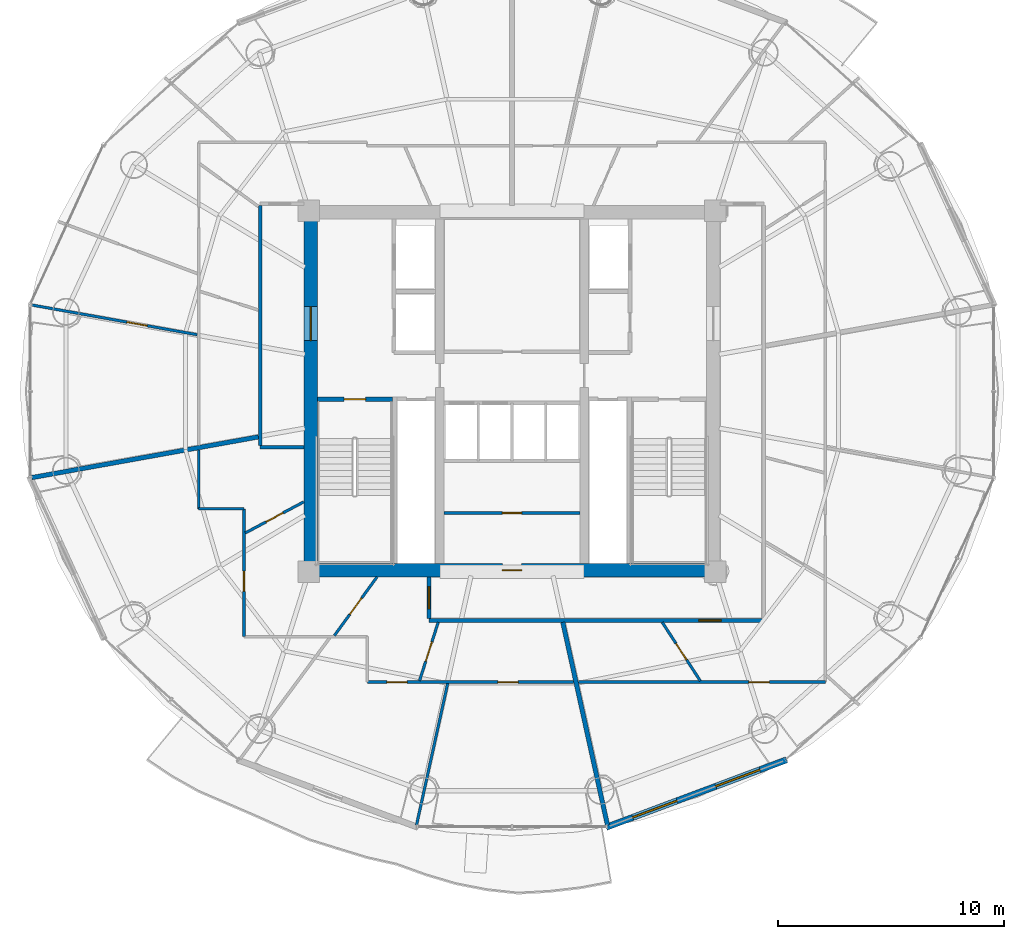
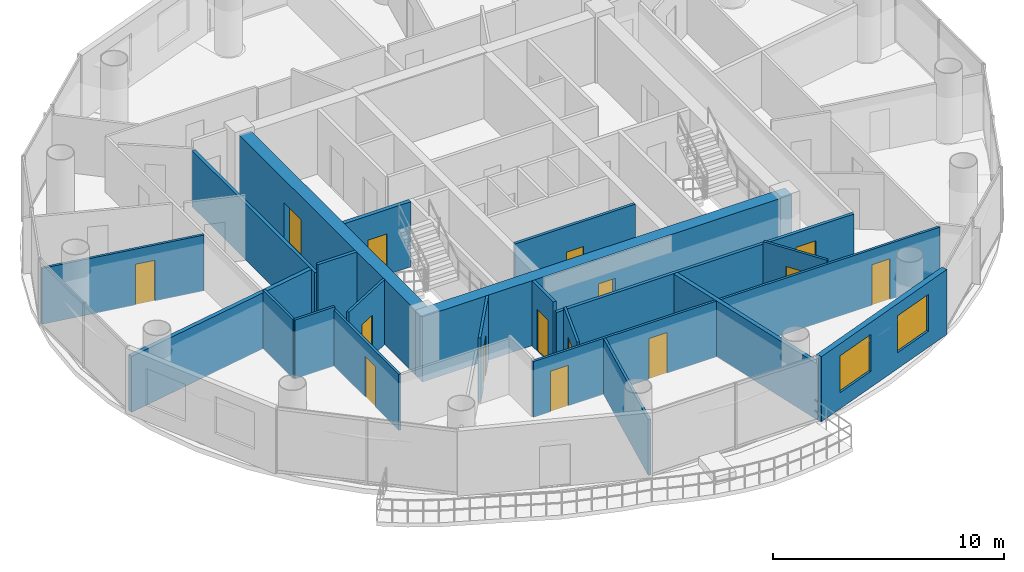
# One storey, part 20 of 27: 22 walls, 15 doors, 2 windows, 17 openings.
"""IFC4 building model written with IfcOpenShell, lengths in metres."""

from ifc_helpers import new_model, si_unit, direction, frame, frame_2d, origin, place, context, subcontext, project, spatial, rectangle, extrude, source, transform, mapped, material, layer, layer_set, type_object, element, fill, save


model = new_model("IFC4")

# Units and contexts
model_context = context("Model", 3, precision=1e-05, world=origin(), true_north=direction((-0.2419218956, 0.970295726276)))
body_context = subcontext(model_context, "Body", "Model", "MODEL_VIEW")
ifc_project = project(units=[si_unit("LENGTHUNIT", "METRE"), si_unit("AREAUNIT", "SQUARE_METRE"), si_unit("VOLUMEUNIT", "CUBIC_METRE"), si_unit("PLANEANGLEUNIT", "RADIAN"), si_unit("MASSUNIT", "GRAM", prefix="KILO")], contexts=[model_context])

# Site, building, storey
site_placement = place(None, origin())
site = spatial("IfcSite", under=ifc_project, at=site_placement, CompositionType="ELEMENT")
building_placement = place(site_placement, origin())
building = spatial("IfcBuilding", under=site, at=building_placement, Name="Cobrevalo Terracotta Tower", CompositionType="ELEMENT")
storey_placement = place(building_placement, frame((0.0, 0.0, 198.60009765625)))
storey = spatial("IfcBuildingStorey", under=building, at=storey_placement, Name="L52", CompositionType="ELEMENT", Elevation=198.60009765625)

# Wall, opening, door
ifc_material_1 = material(Name="Concrete C55", Category="concrete")
ifc_layer_1 = layer(ifc_material_1, 0.60009765625)
ifc_layer_set_1 = layer_set([ifc_layer_1], Name="Concrete C55")
wall_type_1 = type_object("IfcWallType", Name="Core shear wall 600 mm Concrete C55", PredefinedType="SHEAR", material=ifc_layer_set_1)
wall_1_placement = place(storey_placement, frame((28.77490234375, 18.875, 0.0), z_axis=(0.0, 0.0, 1.0), x_axis=(1.0, 0.0, 0.0)))
wall_1 = element("IfcWall", 1, at=wall_1_placement, inside=storey, type_object=wall_type_1, Name="L52 south core shear wall", PredefinedType="SHEAR", context=body_context, shape_type="SweptSolid", body=[
    extrude(rectangle(XDim=18.4501953125, YDim=0.60009765625, at=frame_2d((9.22509765625, 0.0))), origin(), (0.0, 0.0, 1.0), 3.434814453125),
])
opening_1_placement = place(wall_1_placement, frame((8.800048828125, 0.0, 0.0)))
opening_1 = element("IfcOpeningElement", 2, at=opening_1_placement, cuts=wall_1, Name="Opening ID-22", PredefinedType="OPENING", context=body_context, shape_type="SweptSolid", body=[
    extrude(rectangle(XDim=0.85009765625, YDim=2.10009765625, at=frame_2d((0.425048828125, 1.050048828125))), frame((0.0, 0.31005859375, 0.0), z_axis=(0.0, -1.0, 0.0), x_axis=(1.0, 0.0, 0.0)), (0.0, 0.0, 1.0), 0.6201171875),
])
ifc_material_2 = material(Name="Powder-coated steel", Category="steel")
door_type_1 = type_object("IfcDoorType", Name="Riser shaft & meter closet fire access door 850x2100 EI 60", OperationType="NOTDEFINED", PredefinedType="DOOR", material=ifc_material_2)
shared_shape_1 = source(origin(), body_context, "Body", "SweptSolid", [
    extrude(rectangle(XDim=0.85009765625, YDim=2.10009765625, at=frame_2d((0.425048828125, 1.050048828125))), frame((0.0, 0.02490234375, 0.0), z_axis=(0.0, -1.0, 0.0), x_axis=(1.0, 0.0, 0.0)), (0.0, 0.0, 1.0), 0.050048828125),
])
door_1_placement = place(opening_1_placement, origin())
door_1 = element("IfcDoor", 3, at=door_1_placement, inside=storey, type_object=door_type_1, Name="L52 core south plant door Smoke Extract Fan Plant", OperationType="SINGLE_SWING_RIGHT", OverallHeight=2.10009765625, OverallWidth=0.85009765625, PredefinedType="DOOR", context=body_context, shape_type="MappedRepresentation", body=[
    mapped(shared_shape_1, transform((0.0, 0.0, 0.0), scale=1.0)),
])
fill(opening_1, door_1)

wall_2_placement = place(storey_placement, frame((29.074951171875, 19.175048828125, 0.0), z_axis=(0.0, 0.0, 1.0), x_axis=(0.0, 1.0, 0.0)))
wall_2 = element("IfcWall", 4, at=wall_2_placement, inside=storey, type_object=wall_type_1, Name="L52 west core shear wall", PredefinedType="SHEAR", context=body_context, shape_type="SweptSolid", body=[
    extrude(rectangle(XDim=15.25, YDim=0.60009765625, at=frame_2d((7.625, 0.0))), origin(), (0.0, 0.0, 1.0), 3.434814453125),
])
opening_2_placement = place(wall_2_placement, frame((9.875, 0.0, 0.0)))
opening_2 = element("IfcOpeningElement", 5, at=opening_2_placement, cuts=wall_2, Name="Opening ID-14", PredefinedType="OPENING", context=body_context, shape_type="SweptSolid", body=[
    extrude(rectangle(XDim=1.5, YDim=2.199951171875, at=frame_2d((0.75, 1.10009765625))), frame((0.0, 0.31005859375, 0.0), z_axis=(0.0, -1.0, 0.0), x_axis=(1.0, 0.0, 0.0)), (0.0, 0.0, 1.0), 0.6201171875),
])
ifc_material_3 = material(Name="Galvanized fire-rated steel", Category="steel")
door_type_2 = type_object("IfcDoorType", Name="Core cross-lobby double fire door 1500x2200 EI 90", OperationType="NOTDEFINED", PredefinedType="DOOR", material=ifc_material_3)
shared_shape_2 = source(origin(), body_context, "Body", "SweptSolid", [
    extrude(rectangle(XDim=1.5, YDim=2.199951171875, at=frame_2d((0.75, 1.10009765625))), frame((0.0, 0.02490234375, 0.0), z_axis=(0.0, -1.0, 0.0), x_axis=(1.0, 0.0, 0.0)), (0.0, 0.0, 1.0), 0.050048828125),
])
door_2_placement = place(opening_2_placement, origin())
door_2 = element("IfcDoor", 6, at=door_2_placement, inside=storey, type_object=door_type_2, Name="L52 west firefighting lobby entrance door", OperationType="DOUBLE_DOOR_SINGLE_SWING", OverallHeight=2.199951171875, OverallWidth=1.5, PredefinedType="DOOR", context=body_context, shape_type="MappedRepresentation", body=[
    mapped(shared_shape_2, transform((0.0, 0.0, 0.0), scale=1.0)),
])
fill(opening_2, door_2)

# Walls
ifc_material_4 = material(Name="Gypsum board on steel stud", Category="steel")
ifc_layer_2 = layer(ifc_material_4, 0.159912109375)
ifc_layer_set_2 = layer_set([ifc_layer_2], Name="Gypsum board on steel stud")
wall_type_2 = type_object("IfcWallType", Name="Fire-rated corridor acoustic partition wall 160 mm", PredefinedType="PARTITIONING", material=ifc_layer_set_2)
wall_3_placement = place(storey_placement, frame((26.844970703125, 24.39990234375, 0.0), z_axis=(0.0, 0.0, 1.0), x_axis=(0.0, 1.0, 0.0)))
element("IfcWall", 7, at=wall_3_placement, inside=storey, type_object=wall_type_2, Name="L52 interior partition IW-L52-COR-W", PredefinedType="PARTITIONING", context=body_context, shape_type="SweptSolid", body=[
    extrude(rectangle(XDim=10.625, YDim=0.159912109375, at=frame_2d((5.3125, 0.0))), origin(), (0.0, 0.0, 1.0), 2.950927734375),
])
wall_4_placement = place(storey_placement, frame((26.844970703125, 24.320068359375, 0.0), z_axis=(0.0, 0.0, 1.0), x_axis=(1.0, 0.0, 0.0)))
element("IfcWall", 8, at=wall_4_placement, inside=storey, type_object=wall_type_2, Name="L52 interior partition IW-L52-COR-WS-CAP", PredefinedType="PARTITIONING", context=body_context, shape_type="SweptSolid", body=[
    extrude(rectangle(XDim=1.929931640625, YDim=0.159912109375, at=frame_2d((0.96484375, 0.0))), origin(), (0.0, 0.0, 1.0), 3.434814453125),
])

# Wall, opening, door
wall_5_placement = place(storey_placement, frame((34.320068359375, 16.64501953125, 0.0), z_axis=(0.0, 0.0, 1.0), x_axis=(1.0, 0.0, 0.0)))
wall_5 = element("IfcWall", 9, at=wall_5_placement, inside=storey, type_object=wall_type_2, Name="L52 interior partition IW-L52-COR-S", PredefinedType="PARTITIONING", context=body_context, shape_type="SweptSolid", body=[
    extrude(rectangle(XDim=14.8349609375, YDim=0.159912109375, at=frame_2d((7.41748046875, 0.0))), origin(), (0.0, 0.0, 1.0), 2.950927734375),
])
opening_3_placement = place(wall_5_placement, frame((11.96142578125, 0.0, 0.0)))
opening_3 = element("IfcOpeningElement", 10, at=opening_3_placement, cuts=wall_5, Name="Opening ID-05", PredefinedType="OPENING", context=body_context, shape_type="SweptSolid", body=[
    extrude(rectangle(XDim=0.97998046875, YDim=2.199951171875, at=frame_2d((0.489990234375, 1.10009765625))), frame((0.0, 0.08984375, 0.0), z_axis=(0.0, -1.0, 0.0), x_axis=(1.0, 0.0, 0.0)), (0.0, 0.0, 1.0), 0.179931640625),
])
ifc_material_5 = material(Name="Solid hardwood timber", Category="wood")
door_type_3 = type_object("IfcDoorType", Name="Residence entrance fire-rated acoustic timber door 980x2200 EI 60", OperationType="NOTDEFINED", PredefinedType="DOOR", material=ifc_material_5)
shared_shape_3 = source(origin(), body_context, "Body", "SweptSolid", [
    extrude(rectangle(XDim=0.97998046875, YDim=2.199951171875, at=frame_2d((0.489990234375, 1.10009765625))), frame((0.0, 0.02490234375, 0.0), z_axis=(0.0, -1.0, 0.0), x_axis=(1.0, 0.0, 0.0)), (0.0, 0.0, 1.0), 0.050048828125),
])
door_3_placement = place(opening_3_placement, origin())
door_3 = element("IfcDoor", 11, at=door_3_placement, inside=storey, type_object=door_type_3, Name="Flat L52D fire-rated apartment entrance door", OperationType="SINGLE_SWING_LEFT", OverallHeight=2.199951171875, OverallWidth=0.97998046875, PredefinedType="DOOR", context=body_context, shape_type="MappedRepresentation", body=[
    mapped(shared_shape_3, transform((0.0, 0.0, 0.0), scale=1.0)),
])
fill(opening_3, door_3)

wall_6_placement = place(storey_placement, frame((34.320068359375, 16.72509765625, 0.0), z_axis=(0.0, 0.0, 1.0), x_axis=(0.0, 1.0, 0.0)))
wall_6 = element("IfcWall", 12, at=wall_6_placement, inside=storey, type_object=wall_type_2, Name="L52 interior partition IW-L52-COR-SW-CAP", PredefinedType="PARTITIONING", context=body_context, shape_type="SweptSolid", body=[
    extrude(rectangle(XDim=1.849853515625, YDim=0.159912109375, at=frame_2d((0.9248046875, 0.0))), origin(), (0.0, 0.0, 1.0), 3.434814453125),
])
opening_4_placement = place(wall_6_placement, frame((0.43505859375, 0.0, 0.0)))
opening_4 = element("IfcOpeningElement", 13, at=opening_4_placement, cuts=wall_6, Name="Opening ID-05", PredefinedType="OPENING", context=body_context, shape_type="SweptSolid", body=[
    extrude(rectangle(XDim=0.97998046875, YDim=2.199951171875, at=frame_2d((0.489990234375, 1.10009765625))), frame((0.0, 0.08984375, 0.0), z_axis=(0.0, -1.0, 0.0), x_axis=(1.0, 0.0, 0.0)), (0.0, 0.0, 1.0), 0.179931640625),
])
door_4_placement = place(opening_4_placement, origin())
door_4 = element("IfcDoor", 14, at=door_4_placement, inside=storey, type_object=door_type_3, Name="Flat L52C fire-rated apartment entrance door", OperationType="SINGLE_SWING_RIGHT", OverallHeight=2.199951171875, OverallWidth=0.97998046875, PredefinedType="DOOR", context=body_context, shape_type="MappedRepresentation", body=[
    mapped(shared_shape_3, transform((0.0, 0.0, 0.0), scale=1.0)),
])
fill(opening_4, door_4)

# Walls
ifc_material_6 = material(Name="Autoclaved aerated concrete block", Category="concrete")
ifc_layer_3 = layer(ifc_material_6, 0.199951171875)
ifc_layer_set_3 = layer_set([ifc_layer_3], Name="Autoclaved aerated concrete block")
wall_type_3 = type_object("IfcWallType", Name="Fire-rated stair, shaft & demising masonry wall 200 mm", PredefinedType="PARTITIONING", material=ifc_layer_set_3)
wall_7_placement = place(storey_placement, frame((26.764892578125, 24.780517578125, 0.0), z_axis=(0.0, 0.0, 1.0), x_axis=(-0.984226684914, -0.176911934879, 0.0)))
element("IfcWall", 15, at=wall_7_placement, inside=storey, type_object=wall_type_3, Name="L52 interior partition IW-L52-DEM-3", PredefinedType="PARTITIONING", context=body_context, shape_type="SweptSolid", body=[
    extrude(rectangle(XDim=10.202392578125, YDim=0.199951171875, at=frame_2d((5.10107421875, 0.0))), origin(), (0.0, 0.0, 1.0), 2.950927734375),
])
wall_8_placement = place(storey_placement, frame((40.2529296875, 16.56494140625, 0.0), z_axis=(0.0, 0.0, 1.0), x_axis=(0.214957946814, -0.976623305631, 0.0)))
element("IfcWall", 16, at=wall_8_placement, inside=storey, type_object=wall_type_3, Name="L52 interior partition IW-L52-DEM-4", PredefinedType="PARTITIONING", context=body_context, shape_type="SweptSolid", body=[
    extrude(rectangle(XDim=9.201904296875, YDim=0.199951171875, at=frame_2d((4.60107421875, 0.0))), origin(), (0.0, 0.0, 1.0), 2.950927734375),
])

# Wall, openings, windows
ifc_layer_4 = layer(ifc_material_6, 0.280029296875)
ifc_layer_set_4 = layer_set([ifc_layer_4], Name="Autoclaved aerated concrete block")
wall_type_4 = type_object("IfcWallType", Name="Insulated tower spandrel & pier wall 280 mm with terracotta rainscreen", PredefinedType="SOLIDWALL", material=ifc_layer_set_4)
wall_9_placement = place(storey_placement, frame((42.172119140625, 7.47998046875, 0.0), z_axis=(0.0, 0.0, 1.0), x_axis=(0.936556918375, 0.350515532672, 0.0)))
wall_9 = element("IfcWall", 17, at=wall_9_placement, inside=storey, type_object=wall_type_4, Name="L52 terracotta rainscreen pier wall S13", PredefinedType="SOLIDWALL", context=body_context, shape_type="SweptSolid", body=[
    extrude(rectangle(XDim=8.539306640625, YDim=0.280029296875, at=frame_2d((4.26953125, 0.0))), origin(), (0.0, 0.0, 1.0), 3.434814453125),
])
opening_5_placement = place(wall_9_placement, frame((1.255615234375, 0.0, 0.85009765625)))
opening_5 = element("IfcOpeningElement", 18, at=opening_5_placement, cuts=wall_9, Name="Opening WN-10", PredefinedType="OPENING", context=body_context, shape_type="SweptSolid", body=[
    extrude(rectangle(XDim=2.10009765625, YDim=1.949951171875, at=frame_2d((1.050048828125, 0.97509765625))), frame((0.0, 0.14990234375, 0.0), z_axis=(0.0, -1.0, 0.0), x_axis=(1.0, 0.0, 0.0)), (0.0, 0.0, 1.0), 0.300048828125),
])
opening_6_placement = place(wall_9_placement, frame((5.18359375, 0.0, 0.85009765625)))
opening_6 = element("IfcOpeningElement", 19, at=opening_6_placement, cuts=wall_9, Name="Opening WN-10", PredefinedType="OPENING", context=body_context, shape_type="SweptSolid", body=[
    extrude(rectangle(XDim=2.10009765625, YDim=1.949951171875, at=frame_2d((1.050048828125, 0.97509765625))), frame((0.0, 0.14990234375, 0.0), z_axis=(0.0, -1.0, 0.0), x_axis=(1.0, 0.0, 0.0)), (0.0, 0.0, 1.0), 0.300048828125),
])
ifc_material_7 = material(Name="Solar-control low-E double glazing", Category="glass")
window_type = type_object("IfcWindowType", Name="Wide panoramic low-E aluminium window 2100x1950", PartitioningType="SINGLE_PANEL", PredefinedType="WINDOW", material=ifc_material_7)
shared_shape_4 = source(origin(), body_context, "Body", "SweptSolid", [
    extrude(rectangle(XDim=2.10009765625, YDim=1.949951171875, at=frame_2d((1.050048828125, 0.97509765625))), frame((0.0, 0.030029296875, 0.0), z_axis=(0.0, -1.0, 0.0), x_axis=(1.0, 0.0, 0.0)), (0.0, 0.0, 1.0), 0.06005859375),
])
window_1_placement = place(opening_5_placement, origin())
window_1 = element("IfcWindow", 20, at=window_1_placement, inside=storey, type_object=window_type, Name="L52 suite window S13A", OverallHeight=1.949951171875, OverallWidth=2.10009765625, PartitioningType="SINGLE_PANEL", PredefinedType="WINDOW", context=body_context, shape_type="MappedRepresentation", body=[
    mapped(shared_shape_4, transform((0.0, 0.0, 0.0), scale=1.0)),
])
fill(opening_5, window_1)
window_2_placement = place(opening_6_placement, origin())
window_2 = element("IfcWindow", 21, at=window_2_placement, inside=storey, type_object=window_type, Name="L52 suite window S13B", OverallHeight=1.949951171875, OverallWidth=2.10009765625, PartitioningType="SINGLE_PANEL", PredefinedType="WINDOW", context=body_context, shape_type="MappedRepresentation", body=[
    mapped(shared_shape_4, transform((0.0, 0.0, 0.0), scale=1.0)),
])
fill(opening_6, window_2)

# Wall, opening, door
ifc_layer_5 = layer(ifc_material_6, 0.139892578125)
ifc_layer_set_5 = layer_set([ifc_layer_5], Name="Autoclaved aerated concrete block")
wall_type_5 = type_object("IfcWallType", Name="Moisture-resistant wet-room & core service partition 140 mm", PredefinedType="PARTITIONING", material=ifc_layer_set_5)
wall_10_placement = place(storey_placement, frame((34.989990234375, 21.407470703125, 0.0), z_axis=(0.0, 0.0, 1.0), x_axis=(1.0, 0.0, 0.0)))
wall_10 = element("IfcWall", 22, at=wall_10_placement, inside=storey, type_object=wall_type_5, Name="L52 interior partition IW-L52-KVS-H", PredefinedType="PARTITIONING", context=body_context, shape_type="SweptSolid", body=[
    extrude(rectangle(XDim=6.02001953125, YDim=0.139892578125, at=frame_2d((3.010009765625, 0.0))), origin(), (0.0, 0.0, 1.0), 3.434814453125),
])
opening_7_placement = place(wall_10_placement, frame((2.5849609375, 0.0, 0.0)))
opening_7 = element("IfcOpeningElement", 23, at=opening_7_placement, cuts=wall_10, Name="Opening ID-22", PredefinedType="OPENING", context=body_context, shape_type="SweptSolid", body=[
    extrude(rectangle(XDim=0.85009765625, YDim=2.10009765625, at=frame_2d((0.425048828125, 1.050048828125))), frame((0.0, 0.080078125, 0.0), z_axis=(0.0, -1.0, 0.0), x_axis=(1.0, 0.0, 0.0)), (0.0, 0.0, 1.0), 0.159912109375),
])
door_5_placement = place(opening_7_placement, origin())
door_5 = element("IfcDoor", 24, at=door_5_placement, inside=storey, type_object=door_type_1, Name="L52 core manifold inner door", OperationType="SINGLE_SWING_LEFT", OverallHeight=2.10009765625, OverallWidth=0.85009765625, PredefinedType="DOOR", context=body_context, shape_type="MappedRepresentation", body=[
    mapped(shared_shape_1, transform((0.0, 0.0, 0.0), scale=1.0)),
])
fill(opening_7, door_5)

ifc_layer_6 = layer(ifc_material_4, 0.1201171875)
ifc_layer_set_6 = layer_set([ifc_layer_6], Name="Gypsum board on steel stud")
wall_type_6 = type_object("IfcWallType", Name="Residential internal acoustic stud partition 120 mm", PredefinedType="PARTITIONING", material=ifc_layer_set_6)
wall_11_placement = place(storey_placement, frame((24.053955078125, 29.306884765625, 0.0), z_axis=(0.0, 0.0, 1.0), x_axis=(-0.984227185588, 0.176909149424, 0.0)))
wall_11 = element("IfcWall", 25, at=wall_11_placement, inside=storey, type_object=wall_type_6, Name="L52 interior partition IW-L52-U2-ORAD3M1", PredefinedType="PARTITIONING", context=body_context, shape_type="SweptSolid", body=[
    extrude(rectangle(XDim=7.447998046875, YDim=0.1201171875, at=frame_2d((3.72412109375, 0.0))), origin(), (0.0, 0.0, 1.0), 2.950927734375),
])
opening_8_placement = place(wall_11_placement, frame((2.263916015625, 0.0, 0.0)))
opening_8 = element("IfcOpeningElement", 26, at=opening_8_placement, cuts=wall_11, Name="Opening ID-12", PredefinedType="OPENING", context=body_context, shape_type="SweptSolid", body=[
    extrude(rectangle(XDim=0.89990234375, YDim=2.14990234375, at=frame_2d((0.449951171875, 1.074951171875))), frame((0.0, 0.070068359375, 0.0), z_axis=(0.0, -1.0, 0.0), x_axis=(1.0, 0.0, 0.0)), (0.0, 0.0, 1.0), 0.14013671875),
])
ifc_material_8 = material(Name="Engineered timber", Category="wood")
door_type_4 = type_object("IfcDoorType", Name="Internal residence & suite timber door 900x2150", OperationType="NOTDEFINED", PredefinedType="DOOR", material=ifc_material_8)
shared_shape_5 = source(origin(), body_context, "Body", "SweptSolid", [
    extrude(rectangle(XDim=0.89990234375, YDim=2.14990234375, at=frame_2d((0.449951171875, 1.074951171875))), frame((0.0, 0.02490234375, 0.0), z_axis=(0.0, -1.0, 0.0), x_axis=(1.0, 0.0, 0.0)), (0.0, 0.0, 1.0), 0.050048828125),
])
door_6_placement = place(opening_8_placement, origin())
door_6 = element("IfcDoor", 27, at=door_6_placement, inside=storey, type_object=door_type_4, Name="Flat L52B Penthouse Family Lounge internal door", OperationType="SINGLE_SWING_LEFT", OverallHeight=2.14990234375, OverallWidth=0.89990234375, PredefinedType="DOOR", context=body_context, shape_type="MappedRepresentation", body=[
    mapped(shared_shape_5, transform((0.0, 0.0, 0.0), scale=1.0)),
])
fill(opening_8, door_6)

# Wall, openings, doors
wall_12_placement = place(storey_placement, frame((40.734130859375, 13.9150390625, 0.0), z_axis=(0.0, 0.0, 1.0), x_axis=(-1.0, 0.0, 0.0)))
wall_12 = element("IfcWall", 28, at=wall_12_placement, inside=storey, type_object=wall_type_6, Name="L52 interior partition IW-L52-U3-RING0_0", PredefinedType="PARTITIONING", context=body_context, shape_type="SweptSolid", body=[
    extrude(rectangle(XDim=9.14404296875, YDim=0.1201171875, at=frame_2d((4.572021484375, 0.0))), origin(), (0.0, 0.0, 1.0), 2.950927734375),
])
opening_9_placement = place(wall_12_placement, frame((7.38134765625, 0.0, 0.0)))
opening_9 = element("IfcOpeningElement", 29, at=opening_9_placement, cuts=wall_12, Name="Opening ID-12", PredefinedType="OPENING", context=body_context, shape_type="SweptSolid", body=[
    extrude(rectangle(XDim=0.89990234375, YDim=2.14990234375, at=frame_2d((0.449951171875, 1.074951171875))), frame((0.0, 0.070068359375, 0.0), z_axis=(0.0, -1.0, 0.0), x_axis=(1.0, 0.0, 0.0)), (0.0, 0.0, 1.0), 0.14013671875),
])
opening_10_placement = place(wall_12_placement, frame((2.4580078125, 0.0, 0.0)))
opening_10 = element("IfcOpeningElement", 30, at=opening_10_placement, cuts=wall_12, Name="Opening ID-12", PredefinedType="OPENING", context=body_context, shape_type="SweptSolid", body=[
    extrude(rectangle(XDim=0.89990234375, YDim=2.14990234375, at=frame_2d((0.449951171875, 1.074951171875))), frame((0.0, 0.070068359375, 0.0), z_axis=(0.0, -1.0, 0.0), x_axis=(1.0, 0.0, 0.0)), (0.0, 0.0, 1.0), 0.14013671875),
])
door_7_placement = place(opening_9_placement, origin())
door_7 = element("IfcDoor", 31, at=door_7_placement, inside=storey, type_object=door_type_4, Name="Flat L52C Master Bedroom internal door", OperationType="SINGLE_SWING_LEFT", OverallHeight=2.14990234375, OverallWidth=0.89990234375, PredefinedType="DOOR", context=body_context, shape_type="MappedRepresentation", body=[
    mapped(shared_shape_5, transform((0.0, 0.0, 0.0), scale=1.0)),
])
fill(opening_9, door_7)
door_8_placement = place(opening_10_placement, origin())
door_8 = element("IfcDoor", 32, at=door_8_placement, inside=storey, type_object=door_type_4, Name="Flat L52C Penthouse Family Lounge internal door", OperationType="SINGLE_SWING_RIGHT", OverallHeight=2.14990234375, OverallWidth=0.89990234375, PredefinedType="DOOR", context=body_context, shape_type="MappedRepresentation", body=[
    mapped(shared_shape_5, transform((0.0, 0.0, 0.0), scale=1.0)),
])
fill(opening_10, door_8)

# Wall, opening, door
wall_13_placement = place(storey_placement, frame((26.125, 15.925048828125, 0.0), z_axis=(0.0, 0.0, 1.0), x_axis=(0.0, 1.0, 0.0)))
wall_13 = element("IfcWall", 33, at=wall_13_placement, inside=storey, type_object=wall_type_6, Name="L52 interior partition IW-L52-U3-RING3_0", PredefinedType="PARTITIONING", context=body_context, shape_type="SweptSolid", body=[
    extrude(rectangle(XDim=5.6650390625, YDim=0.1201171875, at=frame_2d((2.83251953125, 0.0))), origin(), (0.0, 0.0, 1.0), 2.950927734375),
])
opening_11_placement = place(wall_13_placement, frame((2.01025390625, 0.0, 0.0)))
opening_11 = element("IfcOpeningElement", 34, at=opening_11_placement, cuts=wall_13, Name="Opening ID-12", PredefinedType="OPENING", context=body_context, shape_type="SweptSolid", body=[
    extrude(rectangle(XDim=0.89990234375, YDim=2.14990234375, at=frame_2d((0.449951171875, 1.074951171875))), frame((0.0, 0.070068359375, 0.0), z_axis=(0.0, -1.0, 0.0), x_axis=(1.0, 0.0, 0.0)), (0.0, 0.0, 1.0), 0.14013671875),
])
door_9_placement = place(opening_11_placement, origin())
door_9 = element("IfcDoor", 35, at=door_9_placement, inside=storey, type_object=door_type_4, Name="Flat L52C Living and Dining Room internal door", OperationType="SINGLE_SWING_LEFT", OverallHeight=2.14990234375, OverallWidth=0.89990234375, PredefinedType="DOOR", context=body_context, shape_type="MappedRepresentation", body=[
    mapped(shared_shape_5, transform((0.0, 0.0, 0.0), scale=1.0)),
])
fill(opening_11, door_9)

# Walls
wall_14_placement = place(storey_placement, frame((26.125, 21.590087890625, 0.0), z_axis=(0.0, 0.0, 1.0), x_axis=(-1.0, 0.0, 0.0)))
element("IfcWall", 36, at=wall_14_placement, inside=storey, type_object=wall_type_6, Name="L52 interior partition IW-L52-U3-RING4_0", PredefinedType="PARTITIONING", context=body_context, shape_type="SweptSolid", body=[
    extrude(rectangle(XDim=2.010009765625, YDim=0.1201171875, at=frame_2d((1.0048828125, 0.0))), origin(), (0.0, 0.0, 1.0), 3.10986328125),
])
wall_15_placement = place(storey_placement, frame((24.114990234375, 21.590087890625, 0.0), z_axis=(0.0, 0.0, 1.0), x_axis=(0.0, 1.0, 0.0)))
element("IfcWall", 37, at=wall_15_placement, inside=storey, type_object=wall_type_6, Name="L52 interior partition IW-L52-U3-RING5_0", PredefinedType="PARTITIONING", context=body_context, shape_type="SweptSolid", body=[
    extrude(rectangle(XDim=2.612060546875, YDim=0.1201171875, at=frame_2d((1.30615234375, 0.0))), origin(), (0.0, 0.0, 1.0), 3.10986328125),
])
wall_16_placement = place(storey_placement, frame((35.150390625, 13.8544921875, 0.0), z_axis=(0.0, 0.0, 1.0), x_axis=(-0.214942949264, -0.976626606519, 0.0)))
element("IfcWall", 38, at=wall_16_placement, inside=storey, type_object=wall_type_6, Name="L52 interior partition IW-L52-U3-ORAD2M1", PredefinedType="PARTITIONING", context=body_context, shape_type="SweptSolid", body=[
    extrude(rectangle(XDim=6.426513671875, YDim=0.1201171875, at=frame_2d((3.21337890625, 0.0))), origin(), (0.0, 0.0, 1.0), 2.950927734375),
])

# Wall, opening, door
wall_17_placement = place(storey_placement, frame((28.77490234375, 21.901123046875, 0.0), z_axis=(0.0, 0.0, 1.0), x_axis=(-0.883156592468, -0.46907828044, 0.0)))
wall_17 = element("IfcWall", 39, at=wall_17_placement, inside=storey, type_object=wall_type_6, Name="L52 interior partition IW-L52-U3-IRAD1", PredefinedType="PARTITIONING", context=body_context, shape_type="SweptSolid", body=[
    extrude(rectangle(XDim=2.9384765625, YDim=0.1201171875, at=frame_2d((1.46923828125, 0.0))), origin(), (0.0, 0.0, 1.0), 3.434814453125),
])
opening_12_placement = place(wall_17_placement, frame((1.039306640625, 0.0, 0.0)))
opening_12 = element("IfcOpeningElement", 40, at=opening_12_placement, cuts=wall_17, Name="Opening ID-19", PredefinedType="OPENING", context=body_context, shape_type="SweptSolid", body=[
    extrude(rectangle(XDim=0.860107421875, YDim=2.14990234375, at=frame_2d((0.43017578125, 1.074951171875))), frame((0.0, 0.070068359375, 0.0), z_axis=(0.0, -1.0, 0.0), x_axis=(1.0, 0.0, 0.0)), (0.0, 0.0, 1.0), 0.14013671875),
])
ifc_material_9 = material(Name="Moisture-sealed timber", Category="wood")
door_type_5 = type_object("IfcDoorType", Name="Suite bathroom internal timber door 860x2150", OperationType="NOTDEFINED", PredefinedType="DOOR", material=ifc_material_9)
shared_shape_6 = source(origin(), body_context, "Body", "SweptSolid", [
    extrude(rectangle(XDim=0.860107421875, YDim=2.14990234375, at=frame_2d((0.43017578125, 1.074951171875))), frame((0.0, 0.02490234375, 0.0), z_axis=(0.0, -1.0, 0.0), x_axis=(1.0, 0.0, 0.0)), (0.0, 0.0, 1.0), 0.050048828125),
])
door_10_placement = place(opening_12_placement, frame((0.860107421875, 0.0, 0.0), z_axis=(0.0, 0.0, 1.0), x_axis=(-1.0, 0.0, 0.0)))
door_10 = element("IfcDoor", 41, at=door_10_placement, inside=storey, type_object=door_type_5, Name="Flat L52C Primary Bathroom internal door", OperationType="SINGLE_SWING_RIGHT", OverallHeight=2.14990234375, OverallWidth=0.860107421875, PredefinedType="DOOR", context=body_context, shape_type="MappedRepresentation", body=[
    mapped(shared_shape_6, transform((0.0, 0.0, 0.0), scale=1.0)),
])
fill(opening_12, door_10)

wall_18_placement = place(storey_placement, frame((32.019287109375, 18.574951171875, 0.0), z_axis=(0.0, 0.0, 1.0), x_axis=(-0.588135570825, -0.808762357143, 0.0)))
wall_18 = element("IfcWall", 42, at=wall_18_placement, inside=storey, type_object=wall_type_6, Name="L52 interior partition IW-L52-U3-IRAD2", PredefinedType="PARTITIONING", context=body_context, shape_type="SweptSolid", body=[
    extrude(rectangle(XDim=3.214599609375, YDim=0.1201171875, at=frame_2d((1.607421875, 0.0))), origin(), (0.0, 0.0, 1.0), 3.434814453125),
])
opening_13_placement = place(wall_18_placement, frame((1.1572265625, 0.0, 0.0)))
opening_13 = element("IfcOpeningElement", 43, at=opening_13_placement, cuts=wall_18, Name="Opening ID-12", PredefinedType="OPENING", context=body_context, shape_type="SweptSolid", body=[
    extrude(rectangle(XDim=0.89990234375, YDim=2.14990234375, at=frame_2d((0.449951171875, 1.074951171875))), frame((0.0, 0.070068359375, 0.0), z_axis=(0.0, -1.0, 0.0), x_axis=(1.0, 0.0, 0.0)), (0.0, 0.0, 1.0), 0.14013671875),
])
door_11_placement = place(opening_13_placement, frame((0.89990234375, 0.0, 0.0), z_axis=(0.0, 0.0, 1.0), x_axis=(-1.0, 0.0, 0.0)))
door_11 = element("IfcDoor", 44, at=door_11_placement, inside=storey, type_object=door_type_4, Name="Flat L52C Reception Hallway internal door", OperationType="SINGLE_SWING_LEFT", OverallHeight=2.14990234375, OverallWidth=0.89990234375, PredefinedType="DOOR", context=body_context, shape_type="MappedRepresentation", body=[
    mapped(shared_shape_5, transform((0.0, 0.0, 0.0), scale=1.0)),
])
fill(opening_13, door_11)

wall_19_placement = place(storey_placement, frame((34.730224609375, 16.56494140625, 0.0), z_axis=(0.0, 0.0, 1.0), x_axis=(-0.304300161081, -0.952576197459, 0.0)))
wall_19 = element("IfcWall", 45, at=wall_19_placement, inside=storey, type_object=wall_type_6, Name="L52 interior partition IW-L52-U3-IRAD3", PredefinedType="PARTITIONING", context=body_context, shape_type="SweptSolid", body=[
    extrude(rectangle(XDim=2.7197265625, YDim=0.1201171875, at=frame_2d((1.35986328125, 0.0))), origin(), (0.0, 0.0, 1.0), 3.10986328125),
])
opening_14_placement = place(wall_19_placement, frame((0.909912109375, 0.0, 0.0)))
opening_14 = element("IfcOpeningElement", 46, at=opening_14_placement, cuts=wall_19, Name="Opening ID-12", PredefinedType="OPENING", context=body_context, shape_type="SweptSolid", body=[
    extrude(rectangle(XDim=0.89990234375, YDim=2.14990234375, at=frame_2d((0.449951171875, 1.074951171875))), frame((0.0, 0.070068359375, 0.0), z_axis=(0.0, -1.0, 0.0), x_axis=(1.0, 0.0, 0.0)), (0.0, 0.0, 1.0), 0.14013671875),
])
door_12_placement = place(opening_14_placement, origin())
door_12 = element("IfcDoor", 47, at=door_12_placement, inside=storey, type_object=door_type_4, Name="Flat L52C Home Office Study internal door", OperationType="SINGLE_SWING_RIGHT", OverallHeight=2.14990234375, OverallWidth=0.89990234375, PredefinedType="DOOR", context=body_context, shape_type="MappedRepresentation", body=[
    mapped(shared_shape_5, transform((0.0, 0.0, 0.0), scale=1.0)),
])
fill(opening_14, door_12)

wall_20_placement = place(storey_placement, frame((51.885009765625, 13.9150390625, 0.0), z_axis=(0.0, 0.0, 1.0), x_axis=(-1.0, 0.0, 0.0)))
wall_20 = element("IfcWall", 48, at=wall_20_placement, inside=storey, type_object=wall_type_6, Name="L52 interior partition IW-L52-U4-RING1_0", PredefinedType="PARTITIONING", context=body_context, shape_type="SweptSolid", body=[
    extrude(rectangle(XDim=10.94677734375, YDim=0.1201171875, at=frame_2d((5.473388671875, 0.0))), origin(), (0.0, 0.0, 1.0), 2.950927734375),
])
opening_15_placement = place(wall_20_placement, frame((2.486083984375, 0.0, 0.0)))
opening_15 = element("IfcOpeningElement", 49, at=opening_15_placement, cuts=wall_20, Name="Opening ID-12", PredefinedType="OPENING", context=body_context, shape_type="SweptSolid", body=[
    extrude(rectangle(XDim=0.89990234375, YDim=2.14990234375, at=frame_2d((0.449951171875, 1.074951171875))), frame((0.0, 0.070068359375, 0.0), z_axis=(0.0, -1.0, 0.0), x_axis=(1.0, 0.0, 0.0)), (0.0, 0.0, 1.0), 0.14013671875),
])
door_13_placement = place(opening_15_placement, origin())
door_13 = element("IfcDoor", 50, at=door_13_placement, inside=storey, type_object=door_type_4, Name="Flat L52D Living and Dining Room internal door", OperationType="SINGLE_SWING_LEFT", OverallHeight=2.14990234375, OverallWidth=0.89990234375, PredefinedType="DOOR", context=body_context, shape_type="MappedRepresentation", body=[
    mapped(shared_shape_5, transform((0.0, 0.0, 0.0), scale=1.0)),
])
fill(opening_15, door_13)

wall_21_placement = place(storey_placement, frame((44.656005859375, 16.56494140625, 0.0), z_axis=(0.0, 0.0, 1.0), x_axis=(0.545173870382, -0.838322999239, 0.0)))
wall_21 = element("IfcWall", 51, at=wall_21_placement, inside=storey, type_object=wall_type_6, Name="L52 interior partition IW-L52-U4-IRAD1", PredefinedType="PARTITIONING", context=body_context, shape_type="SweptSolid", body=[
    extrude(rectangle(XDim=3.098876953125, YDim=0.1201171875, at=frame_2d((1.54931640625, 0.0))), origin(), (0.0, 0.0, 1.0), 3.10986328125),
])
opening_16_placement = place(wall_21_placement, frame((1.119384765625, 0.0, 0.0)))
opening_16 = element("IfcOpeningElement", 52, at=opening_16_placement, cuts=wall_21, Name="Opening ID-19", PredefinedType="OPENING", context=body_context, shape_type="SweptSolid", body=[
    extrude(rectangle(XDim=0.860107421875, YDim=2.14990234375, at=frame_2d((0.43017578125, 1.074951171875))), frame((0.0, 0.070068359375, 0.0), z_axis=(0.0, -1.0, 0.0), x_axis=(1.0, 0.0, 0.0)), (0.0, 0.0, 1.0), 0.14013671875),
])
door_14_placement = place(opening_16_placement, frame((0.860107421875, 0.0, 0.0), z_axis=(0.0, 0.0, 1.0), x_axis=(-1.0, 0.0, 0.0)))
door_14 = element("IfcDoor", 53, at=door_14_placement, inside=storey, type_object=door_type_5, Name="Flat L52D Primary Bathroom internal door", OperationType="SINGLE_SWING_RIGHT", OverallHeight=2.14990234375, OverallWidth=0.860107421875, PredefinedType="DOOR", context=body_context, shape_type="MappedRepresentation", body=[
    mapped(shared_shape_6, transform((0.0, 0.0, 0.0), scale=1.0)),
])
fill(opening_16, door_14)

ifc_material_10 = material(Name="Concrete C50", Category="concrete")
ifc_layer_7 = layer(ifc_material_10, 0.199951171875)
ifc_layer_set_7 = layer_set([ifc_layer_7], Name="Concrete C50")
wall_type_7 = type_object("IfcWallType", Name="Structural core & podium stair-shaft RC wall 200 mm Concrete C50", PredefinedType="SOLIDWALL", material=ifc_layer_set_7)
wall_22_placement = place(storey_placement, frame((29.375, 26.449951171875, 0.0), z_axis=(0.0, 0.0, 1.0), x_axis=(1.0, 0.0, 0.0)))
wall_22 = element("IfcWall", 54, at=wall_22_placement, inside=storey, type_object=wall_type_7, Name="L52 ST-1 north structural shaft wall", PredefinedType="SOLIDWALL", context=body_context, shape_type="SweptSolid", body=[
    extrude(rectangle(XDim=3.320068359375, YDim=0.199951171875, at=frame_2d((1.66015625, 0.0))), origin(), (0.0, 0.0, 1.0), 3.434814453125),
])
opening_17_placement = place(wall_22_placement, frame((1.18505859375, 0.0, 0.0)))
opening_17 = element("IfcOpeningElement", 55, at=opening_17_placement, cuts=wall_22, Name="Opening ID-04", PredefinedType="OPENING", context=body_context, shape_type="SweptSolid", body=[
    extrude(rectangle(XDim=0.949951171875, YDim=2.14990234375, at=frame_2d((0.47509765625, 1.074951171875))), frame((0.0, 0.10986328125, 0.0), z_axis=(0.0, -1.0, 0.0), x_axis=(1.0, 0.0, 0.0)), (0.0, 0.0, 1.0), 0.219970703125),
])
door_type_6 = type_object("IfcDoorType", Name="Stair & firefighting lobby fire door 950x2150 EI 90", OperationType="NOTDEFINED", PredefinedType="DOOR", material=ifc_material_3)
shared_shape_7 = source(origin(), body_context, "Body", "SweptSolid", [
    extrude(rectangle(XDim=0.949951171875, YDim=2.14990234375, at=frame_2d((0.47509765625, 1.074951171875))), frame((0.0, 0.02490234375, 0.0), z_axis=(0.0, -1.0, 0.0), x_axis=(1.0, 0.0, 0.0)), (0.0, 0.0, 1.0), 0.050048828125),
])
door_15_placement = place(opening_17_placement, origin())
door_15 = element("IfcDoor", 56, at=door_15_placement, inside=storey, type_object=door_type_6, Name="L52 protected stair ST1 fire door", OperationType="SINGLE_SWING_LEFT", OverallHeight=2.14990234375, OverallWidth=0.949951171875, PredefinedType="DOOR", context=body_context, shape_type="MappedRepresentation", body=[
    mapped(shared_shape_7, transform((0.0, 0.0, 0.0), scale=1.0)),
])
fill(opening_17, door_15)

save(model, "model.ifc")
